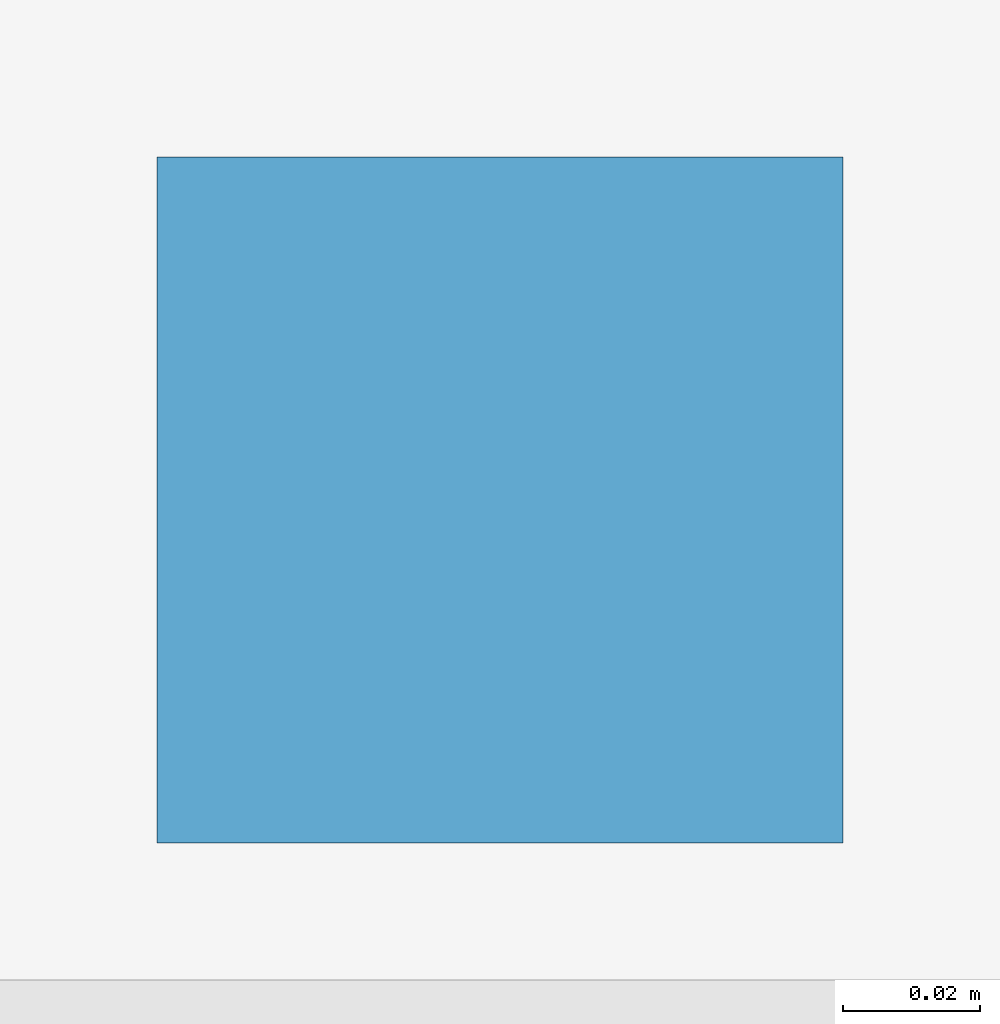
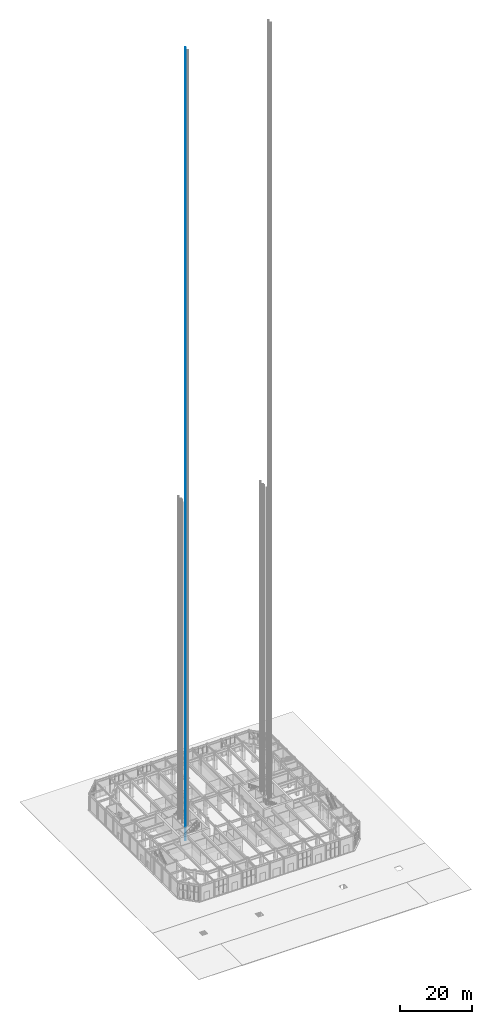
# One storey, part 25 of 39: 1 discrete accessory.
"""IFC4 building model written with IfcOpenShell, lengths in metres."""

import ifcopenshell
import ifcopenshell.guid

model = None  # the IFC model being written
_history = None  # IfcOwnerHistory: only IFC2X3 demands one
_inside = {}  # id of a spatial element -> (the spatial element, [elements in it])
_under = {}  # id of a project, library or spatial element -> (it, [spatial elements below it])
_declared = {}  # id of a project -> (the project, [libraries it declares])
_typed = {}  # id of a type object -> (the type object, [elements of that type])
_made_of = {}  # id of a material, layer set ... -> (it, [elements and type objects made of it])


def new_model(schema):
    """Start an empty IFC model of exactly this schema.

    Asked for "IFC4X3", IfcOpenShell would pick the latest addendum, in which some entities
    have other attributes; the version numbers below select the first issue.
    IFC2X3 requires an IfcOwnerHistory on every rooted entity: one is made here for all.
    """
    global model, _history
    if schema == "IFC4X3":
        model = ifcopenshell.file(schema_version=(4, 3, 0, 0))
    else:
        model = ifcopenshell.file(schema=schema)
    _inside.clear()
    _under.clear()
    _declared.clear()
    _typed.clear()
    _made_of.clear()
    _history = None
    if model.schema == "IFC2X3":
        org = make("IfcOrganization", Name="unknown")
        user = make(
            "IfcPersonAndOrganization",
            ThePerson=make("IfcPerson", FamilyName="unknown"),
            TheOrganization=org,
        )
        app = make(
            "IfcApplication",
            ApplicationDeveloper=org,
            Version="unknown",
            ApplicationFullName="unknown",
            ApplicationIdentifier="unknown",
        )
        _history = make(
            "IfcOwnerHistory",
            OwningUser=user,
            OwningApplication=app,
            ChangeAction="ADDED",
            CreationDate=0,
        )
    return model


def make(cls, **values):
    """One entity of the class cls with the attributes given. An attribute that is None is left unset."""
    return model.create_entity(
        cls, **{name: value for name, value in values.items() if value is not None}
    )


def rooted(cls, **values):
    """An entity with a GlobalId (a new one), such as an element, a storey or a relation."""
    return make(cls, GlobalId=ifcopenshell.guid.new(), OwnerHistory=_history, **values)


def si_unit(unit_type, name, prefix=None):
    """IfcSIUnit, for example si_unit("LENGTHUNIT", "METRE", prefix="MILLI")."""
    return make("IfcSIUnit", UnitType=unit_type, Prefix=prefix, Name=name)


def assignment(units):
    """IfcUnitAssignment: the units of a project."""
    return None if units is None else make("IfcUnitAssignment", Units=units)


def point(xyz):
    """IfcCartesianPoint."""
    return None if xyz is None else make("IfcCartesianPoint", Coordinates=xyz)


def direction(xyz):
    """IfcDirection."""
    return None if xyz is None else make("IfcDirection", DirectionRatios=xyz)


def frame(location, z_axis=None, x_axis=None):
    """IfcAxis2Placement3D, a coordinate frame: its origin and axes. An axis left out is left unset."""
    return make(
        "IfcAxis2Placement3D",
        Location=point(location),
        Axis=direction(z_axis),
        RefDirection=direction(x_axis),
    )


def origin():
    """The frame at (0, 0, 0) with its axes left unset."""
    return frame((0.0, 0.0, 0.0))


def place(relative_to, where):
    """IfcLocalPlacement: puts the frame where relative to a parent placement (None: the world)."""
    return make(
        "IfcLocalPlacement", PlacementRelTo=relative_to, RelativePlacement=where
    )


def context(
    kind, dimensions, precision=None, world=None, true_north=None, identifier=None
):
    """IfcGeometricRepresentationContext, for example the 3D "Model" context."""
    return make(
        "IfcGeometricRepresentationContext",
        ContextIdentifier=identifier,
        ContextType=kind,
        CoordinateSpaceDimension=dimensions,
        Precision=precision,
        WorldCoordinateSystem=world,
        TrueNorth=true_north,
    )


def subcontext(parent, identifier, kind, view, scale=None):
    """IfcGeometricRepresentationSubContext, for example "Body" below "Model"."""
    return make(
        "IfcGeometricRepresentationSubContext",
        ContextIdentifier=identifier,
        ContextType=kind,
        ParentContext=parent,
        TargetScale=scale,
        TargetView=view,
    )


def project(units=None, contexts=None):
    """IfcProject with its units and contexts."""
    return rooted(
        "IfcProject",
        Name="project",
        RepresentationContexts=contexts,
        UnitsInContext=assignment(units),
    )


def spatial(cls, under=None, at=None, **own):
    """A site, building, storey or space (cls), placed at a placement, below another one or the project."""
    s = rooted(cls, ObjectPlacement=at, **own)
    if under is not None:
        _under.setdefault(under.id(), (under, []))[1].append(s)
    return s


def polyline(points):
    """IfcPolyline through the points."""
    return make("IfcPolyline", Points=[point(p) for p in points])


def outline(outer, holes=None, kind="AREA"):
    """IfcArbitraryClosedProfileDef: a profile drawn as a closed curve; with holes, ...WithVoids."""
    if holes is None:
        return make("IfcArbitraryClosedProfileDef", ProfileType=kind, OuterCurve=outer)
    return make(
        "IfcArbitraryProfileDefWithVoids",
        ProfileType=kind,
        OuterCurve=outer,
        InnerCurves=holes,
    )


def extrude(swept, where, along, depth):
    """IfcExtrudedAreaSolid: the profile swept, set in the frame where, extruded along a direction by depth."""
    return make(
        "IfcExtrudedAreaSolid",
        SweptArea=swept,
        Position=where,
        ExtrudedDirection=direction(along),
        Depth=depth,
    )


def shape(context_of_items, identifier, shape_type, items):
    """IfcShapeRepresentation: the items that make up one representation, for example the "Body"."""
    return make(
        "IfcShapeRepresentation",
        ContextOfItems=context_of_items,
        RepresentationIdentifier=identifier,
        RepresentationType=shape_type,
        Items=items,
    )


def made_of(thing, what):
    """Note that an element or type object is made of a material, layer set ...; save() writes the relation."""
    if what is not None:
        _made_of.setdefault(what.id(), (what, []))[1].append(thing)
    return thing


def element(
    cls,
    number,
    at=None,
    inside=None,
    cuts=None,
    type_object=None,
    material=None,
    context=None,
    identifier="Body",
    shape_type=None,
    held_by="IfcProductDefinitionShape",
    body=None,
    shapes=None,
    **own,
):
    """One element of the class cls, such as IfcWall. Its Tag is "e" and its number.

    at: its placement. inside: the storey or other place that contains it. cuts: it is an
    opening in that element (IfcRelVoidsElement). A single representation is given by context,
    identifier, shape_type and body (its items); several are given by shapes. held_by: the class
    of the entity that holds the representations. save() writes the other relations.
    """
    e = rooted(cls, Tag="e%d" % number, ObjectPlacement=at, **own)
    if body is not None:
        shapes = [shape(context, identifier, shape_type, body)]
    if shapes is not None:
        e.Representation = make(held_by, Representations=shapes)
    if inside is not None:
        _inside.setdefault(inside.id(), (inside, []))[1].append(e)
    if cuts is not None:
        rooted(
            "IfcRelVoidsElement", RelatingBuildingElement=cuts, RelatedOpeningElement=e
        )
    if type_object is not None:
        _typed.setdefault(type_object.id(), (type_object, []))[1].append(e)
    return made_of(e, material)


def aggregate(whole, parts):
    """IfcRelAggregates: a whole, such as a stair, and the parts it consists of."""
    return rooted("IfcRelAggregates", RelatingObject=whole, RelatedObjects=parts)


def save(model, path):
    """Write the relations noted so far, then the file.

    IfcRelAggregates (storeys below a building ...), IfcRelContainedInSpatialStructure (elements
    in a storey), IfcRelDefinesByType, IfcRelAssociatesMaterial and IfcRelDeclares: one each for
    every whole, place, type object, material and project.
    """
    for whole, parts in _under.values():
        aggregate(whole, parts)
    for where, things in _inside.values():
        rooted(
            "IfcRelContainedInSpatialStructure",
            RelatedElements=things,
            RelatingStructure=where,
        )
    for kind, things in _typed.values():
        rooted("IfcRelDefinesByType", RelatedObjects=things, RelatingType=kind)
    for what, things in _made_of.values():
        rooted("IfcRelAssociatesMaterial", RelatedObjects=things, RelatingMaterial=what)
    for by, libraries in _declared.values():
        rooted("IfcRelDeclares", RelatingContext=by, RelatedDefinitions=libraries)
    model.write(path)


model = new_model("IFC4")

# Units and contexts
model_context = context("Model", 3, precision=1e-05, world=origin(), true_north=direction((0.0, 1.0)))
body_context = subcontext(model_context, "Body", "Model", "MODEL_VIEW")
ifc_project = project(units=[si_unit("LENGTHUNIT", "METRE"), si_unit("AREAUNIT", "SQUARE_METRE"), si_unit("VOLUMEUNIT", "CUBIC_METRE"), si_unit("PLANEANGLEUNIT", "RADIAN"), si_unit("MASSUNIT", "GRAM", prefix="KILO")], contexts=[model_context])

# Site, building, storey
site_placement = place(None, origin())
site = spatial("IfcSite", under=ifc_project, at=site_placement, CompositionType="ELEMENT")
building_placement = place(site_placement, origin())
building = spatial("IfcBuilding", under=site, at=building_placement, Name="Msasa Ring Tower", CompositionType="ELEMENT")
storey_placement = place(building_placement, origin())
storey = spatial("IfcBuildingStorey", under=building, at=storey_placement, Name="L00", CompositionType="ELEMENT", Elevation=0.0)

# Discrete accessory
discrete_accessory_placement = place(storey_placement, frame((0.0, 0.0, 0.050048828125)))
element("IfcDiscreteAccessory", 1, at=discrete_accessory_placement, inside=storey, Name="Lift guide rail 2 FL-W", ObjectType="LIFT GUIDE RAIL", PredefinedType="USERDEFINED", context=body_context, shape_type="SweptSolid", body=[
    extrude(outline(polyline([(-13.425048828125, -1.455078125), (-13.324951171875, -1.455078125), (-13.324951171875, -1.35498046875), (-13.425048828125, -1.35498046875), (-13.425048828125, -1.455078125)])), origin(), (0.0, 0.0, 1.0), 270.449951171875),
])

save(model, "model.ifc")
